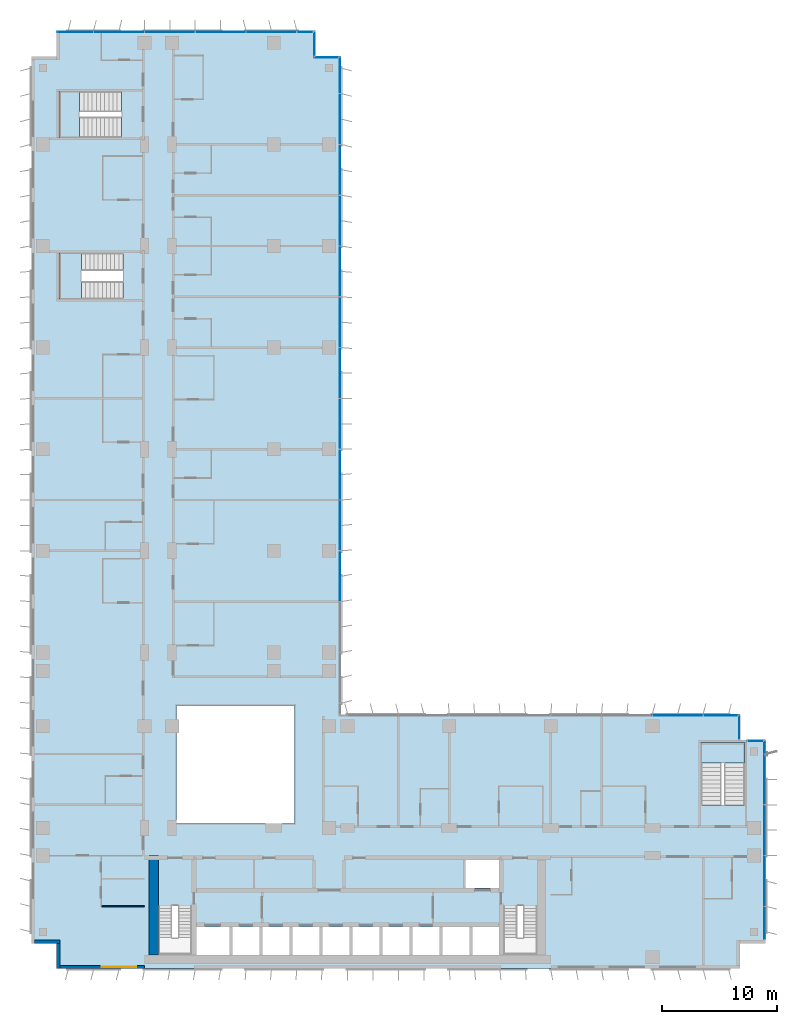
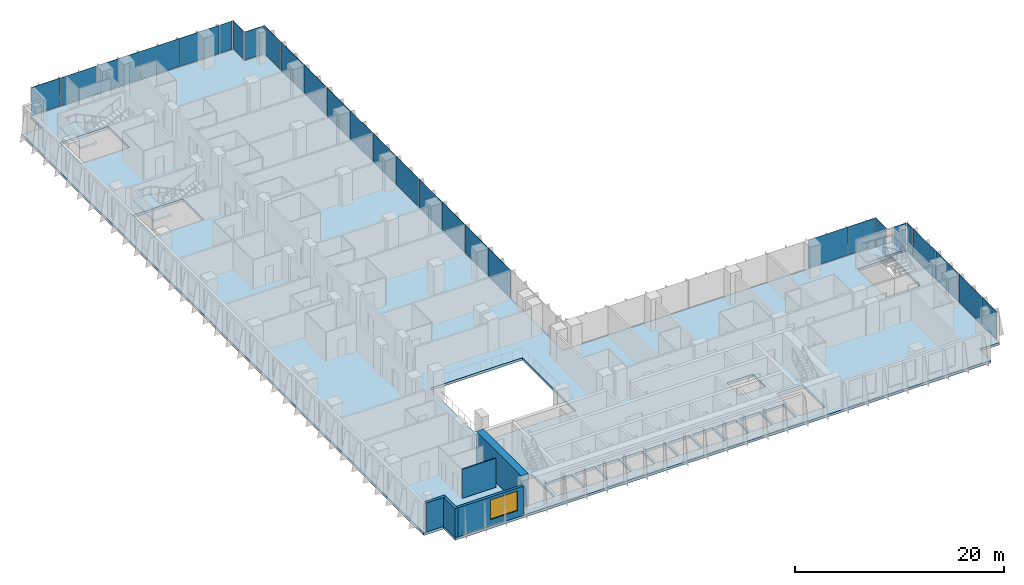
# One storey, part 11 of 22: 28 plates, 5 walls, 4 slabs, 1 window, 1 opening, 11 elements without a shape of their own.
"""IFC4 building model written with IfcOpenShell, lengths in metres."""

import ifcopenshell
import ifcopenshell.guid

model = None  # the IFC model being written
_history = None  # IfcOwnerHistory: only IFC2X3 demands one
_inside = {}  # id of a spatial element -> (the spatial element, [elements in it])
_under = {}  # id of a project, library or spatial element -> (it, [spatial elements below it])
_declared = {}  # id of a project -> (the project, [libraries it declares])
_typed = {}  # id of a type object -> (the type object, [elements of that type])
_made_of = {}  # id of a material, layer set ... -> (it, [elements and type objects made of it])


def new_model(schema):
    """Start an empty IFC model of exactly this schema.

    Asked for "IFC4X3", IfcOpenShell would pick the latest addendum, in which some entities
    have other attributes; the version numbers below select the first issue.
    IFC2X3 requires an IfcOwnerHistory on every rooted entity: one is made here for all.
    """
    global model, _history
    if schema == "IFC4X3":
        model = ifcopenshell.file(schema_version=(4, 3, 0, 0))
    else:
        model = ifcopenshell.file(schema=schema)
    _inside.clear()
    _under.clear()
    _declared.clear()
    _typed.clear()
    _made_of.clear()
    _history = None
    if model.schema == "IFC2X3":
        org = make("IfcOrganization", Name="unknown")
        user = make(
            "IfcPersonAndOrganization",
            ThePerson=make("IfcPerson", FamilyName="unknown"),
            TheOrganization=org,
        )
        app = make(
            "IfcApplication",
            ApplicationDeveloper=org,
            Version="unknown",
            ApplicationFullName="unknown",
            ApplicationIdentifier="unknown",
        )
        _history = make(
            "IfcOwnerHistory",
            OwningUser=user,
            OwningApplication=app,
            ChangeAction="ADDED",
            CreationDate=0,
        )
    return model


def make(cls, **values):
    """One entity of the class cls with the attributes given. An attribute that is None is left unset."""
    return model.create_entity(
        cls, **{name: value for name, value in values.items() if value is not None}
    )


def rooted(cls, **values):
    """An entity with a GlobalId (a new one), such as an element, a storey or a relation."""
    return make(cls, GlobalId=ifcopenshell.guid.new(), OwnerHistory=_history, **values)


def si_unit(unit_type, name, prefix=None):
    """IfcSIUnit, for example si_unit("LENGTHUNIT", "METRE", prefix="MILLI")."""
    return make("IfcSIUnit", UnitType=unit_type, Prefix=prefix, Name=name)


def assignment(units):
    """IfcUnitAssignment: the units of a project."""
    return None if units is None else make("IfcUnitAssignment", Units=units)


def point(xyz):
    """IfcCartesianPoint."""
    return None if xyz is None else make("IfcCartesianPoint", Coordinates=xyz)


def direction(xyz):
    """IfcDirection."""
    return None if xyz is None else make("IfcDirection", DirectionRatios=xyz)


def frame(location, z_axis=None, x_axis=None):
    """IfcAxis2Placement3D, a coordinate frame: its origin and axes. An axis left out is left unset."""
    return make(
        "IfcAxis2Placement3D",
        Location=point(location),
        Axis=direction(z_axis),
        RefDirection=direction(x_axis),
    )


def frame_2d(location, x_axis=None):
    """IfcAxis2Placement2D, a coordinate frame in the plane: its origin and x axis."""
    return make(
        "IfcAxis2Placement2D", Location=point(location), RefDirection=direction(x_axis)
    )


def origin():
    """The frame at (0, 0, 0) with its axes left unset."""
    return frame((0.0, 0.0, 0.0))


def origin_2d():
    """The frame at (0, 0) in the plane with its x axis left unset."""
    return frame_2d((0.0, 0.0))


def place(relative_to, where):
    """IfcLocalPlacement: puts the frame where relative to a parent placement (None: the world)."""
    return make(
        "IfcLocalPlacement", PlacementRelTo=relative_to, RelativePlacement=where
    )


def context(
    kind, dimensions, precision=None, world=None, true_north=None, identifier=None
):
    """IfcGeometricRepresentationContext, for example the 3D "Model" context."""
    return make(
        "IfcGeometricRepresentationContext",
        ContextIdentifier=identifier,
        ContextType=kind,
        CoordinateSpaceDimension=dimensions,
        Precision=precision,
        WorldCoordinateSystem=world,
        TrueNorth=true_north,
    )


def subcontext(parent, identifier, kind, view, scale=None):
    """IfcGeometricRepresentationSubContext, for example "Body" below "Model"."""
    return make(
        "IfcGeometricRepresentationSubContext",
        ContextIdentifier=identifier,
        ContextType=kind,
        ParentContext=parent,
        TargetScale=scale,
        TargetView=view,
    )


def project(units=None, contexts=None):
    """IfcProject with its units and contexts."""
    return rooted(
        "IfcProject",
        Name="project",
        RepresentationContexts=contexts,
        UnitsInContext=assignment(units),
    )


def spatial(cls, under=None, at=None, **own):
    """A site, building, storey or space (cls), placed at a placement, below another one or the project."""
    s = rooted(cls, ObjectPlacement=at, **own)
    if under is not None:
        _under.setdefault(under.id(), (under, []))[1].append(s)
    return s


def polyline(points):
    """IfcPolyline through the points."""
    return make("IfcPolyline", Points=[point(p) for p in points])


def profile(cls, at=None, kind="AREA", **sizes):
    """A parametric profile (cls). Its sizes go by their IFC names, for example OverallWidth=200.0."""
    return make(cls, ProfileType=kind, Position=at, **sizes)


def rectangle(**sizes):
    """IfcRectangleProfileDef."""
    return profile("IfcRectangleProfileDef", **sizes)


def outline(outer, holes=None, kind="AREA"):
    """IfcArbitraryClosedProfileDef: a profile drawn as a closed curve; with holes, ...WithVoids."""
    if holes is None:
        return make("IfcArbitraryClosedProfileDef", ProfileType=kind, OuterCurve=outer)
    return make(
        "IfcArbitraryProfileDefWithVoids",
        ProfileType=kind,
        OuterCurve=outer,
        InnerCurves=holes,
    )


def extrude(swept, where, along, depth):
    """IfcExtrudedAreaSolid: the profile swept, set in the frame where, extruded along a direction by depth."""
    return make(
        "IfcExtrudedAreaSolid",
        SweptArea=swept,
        Position=where,
        ExtrudedDirection=direction(along),
        Depth=depth,
    )


def shape(context_of_items, identifier, shape_type, items):
    """IfcShapeRepresentation: the items that make up one representation, for example the "Body"."""
    return make(
        "IfcShapeRepresentation",
        ContextOfItems=context_of_items,
        RepresentationIdentifier=identifier,
        RepresentationType=shape_type,
        Items=items,
    )


def source(mapping_origin, context_of_items, identifier, shape_type, items):
    """IfcRepresentationMap: a shape defined once, which mapped items show again and again."""
    return make(
        "IfcRepresentationMap",
        MappingOrigin=mapping_origin,
        MappedRepresentation=shape(context_of_items, identifier, shape_type, items),
    )


def transform(
    local_origin,
    x_axis=None,
    y_axis=None,
    z_axis=None,
    scale=None,
    scale2=None,
    scale3=None,
    uniform=True,
):
    """IfcCartesianTransformationOperator3D, or its non-uniform kind. x_axis, y_axis, z_axis: its Axis1, 2, 3."""
    if uniform:
        return make(
            "IfcCartesianTransformationOperator3D",
            Axis1=direction(x_axis),
            Axis2=direction(y_axis),
            LocalOrigin=point(local_origin),
            Scale=scale,
            Axis3=direction(z_axis),
        )
    return make(
        "IfcCartesianTransformationOperator3DnonUniform",
        Axis1=direction(x_axis),
        Axis2=direction(y_axis),
        LocalOrigin=point(local_origin),
        Scale=scale,
        Axis3=direction(z_axis),
        Scale2=scale2,
        Scale3=scale3,
    )


def mapped(mapping_source, mapping_target):
    """IfcMappedItem: shows the shape of a source again, moved by a transform."""
    return make(
        "IfcMappedItem", MappingSource=mapping_source, MappingTarget=mapping_target
    )


def material(Name=None, Category=None):
    """IfcMaterial."""
    return make("IfcMaterial", Name=Name, Category=Category)


def layer(
    of_material, thickness, ventilated=None, Name=None, Category=None, Priority=None
):
    """IfcMaterialLayer: one layer of a wall or slab, of a material (None: an air gap)."""
    return make(
        "IfcMaterialLayer",
        Material=of_material,
        LayerThickness=thickness,
        IsVentilated=ventilated,
        Name=Name,
        Category=Category,
        Priority=Priority,
    )


def layer_set(layers, Name=None):
    """IfcMaterialLayerSet."""
    return make("IfcMaterialLayerSet", MaterialLayers=layers, LayerSetName=Name)


def made_of(thing, what):
    """Note that an element or type object is made of a material, layer set ...; save() writes the relation."""
    if what is not None:
        _made_of.setdefault(what.id(), (what, []))[1].append(thing)
    return thing


def type_object(cls, material=None, **own):
    """A type object (cls), such as IfcWallType, which elements share."""
    return made_of(rooted(cls, **own), material)


def element(
    cls,
    number,
    at=None,
    inside=None,
    cuts=None,
    type_object=None,
    material=None,
    context=None,
    identifier="Body",
    shape_type=None,
    held_by="IfcProductDefinitionShape",
    body=None,
    shapes=None,
    **own,
):
    """One element of the class cls, such as IfcWall. Its Tag is "e" and its number.

    at: its placement. inside: the storey or other place that contains it. cuts: it is an
    opening in that element (IfcRelVoidsElement). A single representation is given by context,
    identifier, shape_type and body (its items); several are given by shapes. held_by: the class
    of the entity that holds the representations. save() writes the other relations.
    """
    e = rooted(cls, Tag="e%d" % number, ObjectPlacement=at, **own)
    if body is not None:
        shapes = [shape(context, identifier, shape_type, body)]
    if shapes is not None:
        e.Representation = make(held_by, Representations=shapes)
    if inside is not None:
        _inside.setdefault(inside.id(), (inside, []))[1].append(e)
    if cuts is not None:
        rooted(
            "IfcRelVoidsElement", RelatingBuildingElement=cuts, RelatedOpeningElement=e
        )
    if type_object is not None:
        _typed.setdefault(type_object.id(), (type_object, []))[1].append(e)
    return made_of(e, material)


def fill(opening, filler):
    """IfcRelFillsElement: the door or window that sits in an opening."""
    return rooted(
        "IfcRelFillsElement",
        RelatingOpeningElement=opening,
        RelatedBuildingElement=filler,
    )


def aggregate(whole, parts):
    """IfcRelAggregates: a whole, such as a stair, and the parts it consists of."""
    return rooted("IfcRelAggregates", RelatingObject=whole, RelatedObjects=parts)


def save(model, path):
    """Write the relations noted so far, then the file.

    IfcRelAggregates (storeys below a building ...), IfcRelContainedInSpatialStructure (elements
    in a storey), IfcRelDefinesByType, IfcRelAssociatesMaterial and IfcRelDeclares: one each for
    every whole, place, type object, material and project.
    """
    for whole, parts in _under.values():
        aggregate(whole, parts)
    for where, things in _inside.values():
        rooted(
            "IfcRelContainedInSpatialStructure",
            RelatedElements=things,
            RelatingStructure=where,
        )
    for kind, things in _typed.values():
        rooted("IfcRelDefinesByType", RelatedObjects=things, RelatingType=kind)
    for what, things in _made_of.values():
        rooted("IfcRelAssociatesMaterial", RelatedObjects=things, RelatingMaterial=what)
    for by, libraries in _declared.values():
        rooted("IfcRelDeclares", RelatingContext=by, RelatedDefinitions=libraries)
    model.write(path)


model = new_model("IFC4")

# Units and contexts
model_context = context("Model", 3, precision=1e-05, world=origin(), true_north=direction((0.0, 1.0)))
body_context = subcontext(model_context, "Body", "Model", "MODEL_VIEW")
ifc_project = project(units=[si_unit("LENGTHUNIT", "METRE"), si_unit("AREAUNIT", "SQUARE_METRE"), si_unit("VOLUMEUNIT", "CUBIC_METRE"), si_unit("PLANEANGLEUNIT", "RADIAN"), si_unit("MASSUNIT", "GRAM", prefix="KILO")], contexts=[model_context])

# Site, building, storey
site_placement = place(None, origin())
site = spatial("IfcSite", under=ifc_project, at=site_placement, CompositionType="ELEMENT")
building_placement = place(site_placement, origin())
building = spatial("IfcBuilding", under=site, at=building_placement, Name="Kemantara Hotel Tower", CompositionType="ELEMENT")
storey_placement = place(building_placement, frame((0.0, 0.0, 90.800048828125)))
storey = spatial("IfcBuildingStorey", under=building, at=storey_placement, Name="L21", CompositionType="ELEMENT", Elevation=90.800048828125)

# Slab
ifc_material_1 = material(Name="Concrete fc 40 MPa", Category="concrete")
ifc_layer_1 = layer(ifc_material_1, 0.300048828125)
ifc_layer_set_1 = layer_set([ifc_layer_1], Name="Concrete fc 40 MPa")
slab_type_1 = type_object("IfcSlabType", Name="POST-TENSIONED FLAT PLATE 300", PredefinedType="FLOOR", material=ifc_layer_set_1)
slab_1_placement = place(storey_placement, frame((0.0, 0.0, -0.300048828125)))
element("IfcSlab", 1, at=slab_1_placement, inside=storey, type_object=slab_type_1, Name="FLOOR SLAB L21", PredefinedType="FLOOR", context=body_context, shape_type="SweptSolid", body=[
    extrude(outline(polyline([(26.800048828125, 79.0), (24.60009765625, 79.0), (24.60009765625, 81.199951171875), (2.199951171875, 81.199951171875), (2.199951171875, 79.0), (0.0, 79.0), (0.0, 2.199951171875), (2.199951171875, 2.199951171875), (2.199951171875, 0.0), (61.39990234375, 0.0), (61.39990234375, 2.199951171875), (63.60009765625, 2.199951171875), (63.60009765625, 19.800048828125), (61.39990234375, 19.800048828125), (61.39990234375, 22.0), (26.800048828125, 22.0), (26.800048828125, 79.0)]), holes=[polyline([(17.175048828125, 1.199951171875), (14.22509765625, 1.199951171875), (14.22509765625, 3.60009765625), (17.175048828125, 3.60009765625), (17.175048828125, 1.199951171875)]), polyline([(19.77490234375, 1.199951171875), (17.425048828125, 1.199951171875), (17.425048828125, 3.60009765625), (19.77490234375, 3.60009765625), (19.77490234375, 1.199951171875)]), polyline([(22.375, 1.199951171875), (20.02490234375, 1.199951171875), (20.02490234375, 3.60009765625), (22.375, 3.60009765625), (22.375, 1.199951171875)]), polyline([(24.97509765625, 1.199951171875), (22.625, 1.199951171875), (22.625, 3.60009765625), (24.97509765625, 3.60009765625), (24.97509765625, 1.199951171875)]), polyline([(27.574951171875, 1.199951171875), (25.22509765625, 1.199951171875), (25.22509765625, 3.60009765625), (27.574951171875, 3.60009765625), (27.574951171875, 1.199951171875)]), polyline([(11.0, 1.199951171875), (11.0, 5.49951171875), (13.89990234375, 5.49951171875), (13.89990234375, 1.199951171875), (11.0, 1.199951171875)]), polyline([(22.800048828125, 12.60009765625), (12.60009765625, 12.60009765625), (12.60009765625, 22.800048828125), (22.800048828125, 22.800048828125), (22.800048828125, 12.60009765625)]), polyline([(2.39990234375, 62.0), (7.949462890625, 62.0), (7.949462890625, 58.0), (2.39990234375, 58.0), (2.39990234375, 62.0)]), polyline([(2.39990234375, 76.0), (7.79931640625, 76.0), (7.79931640625, 72.0), (2.39990234375, 72.0), (2.39990234375, 76.0)]), polyline([(30.175048828125, 1.199951171875), (27.824951171875, 1.199951171875), (27.824951171875, 3.60009765625), (30.175048828125, 3.60009765625), (30.175048828125, 1.199951171875)]), polyline([(32.77490234375, 1.199951171875), (30.425048828125, 1.199951171875), (30.425048828125, 3.60009765625), (32.77490234375, 3.60009765625), (32.77490234375, 1.199951171875)]), polyline([(35.375, 1.199951171875), (33.02490234375, 1.199951171875), (33.02490234375, 3.60009765625), (35.375, 3.60009765625), (35.375, 1.199951171875)]), polyline([(37.97509765625, 1.199951171875), (35.625, 1.199951171875), (35.625, 3.60009765625), (37.97509765625, 3.60009765625), (37.97509765625, 1.199951171875)]), polyline([(40.574951171875, 1.199951171875), (38.22509765625, 1.199951171875), (38.22509765625, 3.60009765625), (40.574951171875, 3.60009765625), (40.574951171875, 1.199951171875)]), polyline([(40.89990234375, 1.199951171875), (40.89990234375, 5.49951171875), (43.800048828125, 5.49951171875), (43.800048828125, 1.199951171875), (40.89990234375, 1.199951171875)]), polyline([(37.625, 7.0), (37.625, 9.39990234375), (40.574951171875, 9.39990234375), (40.574951171875, 7.0), (37.625, 7.0)]), polyline([(61.800048828125, 14.20068359375), (58.0, 14.20068359375), (58.0, 19.60009765625), (61.800048828125, 19.60009765625), (61.800048828125, 14.20068359375)])]), origin(), (0.0, 0.0, 1.0), 0.300048828125),
])

# Stair, slab
stair_type_1 = type_object("IfcStairType", Name="Stair 1800 wide 22 risers of 168 x 360 mm", PredefinedType="HALF_TURN_STAIR", material=ifc_material_1)
stair_1_placement = place(storey_placement, origin())
stair_1 = element("IfcStair", 2, at=stair_1_placement, inside=storey, type_object=stair_type_1, Name="L21 Exit stair ST3", PredefinedType="HALF_TURN_STAIR")
ifc_layer_2 = layer(ifc_material_1, 0.199951171875)
ifc_layer_set_2 = layer_set([ifc_layer_2], Name="Concrete fc 40 MPa")
slab_type_2 = type_object("IfcSlabType", Name="Stair landing 200 mm", PredefinedType="LANDING", material=ifc_layer_set_2)
slab_2_placement = place(storey_placement, frame((0.0, 0.0, 1.64990234375)))
slab_2 = element("IfcSlab", 3, at=slab_2_placement, type_object=slab_type_2, Name="ST3 landing 1", PredefinedType="LANDING", context=body_context, shape_type="SweptSolid", body=[
    extrude(outline(polyline([(61.800048828125, 17.800048828125), (61.800048828125, 19.60009765625), (58.0, 19.60009765625), (58.0, 17.800048828125), (61.800048828125, 17.800048828125)])), origin(), (0.0, 0.0, 1.0), 0.199951171875),
])
aggregate(stair_1, [slab_2])

stair_type_2 = type_object("IfcStairType", Name="Stair 1550 wide 22 risers of 168 x 360 mm", PredefinedType="HALF_TURN_STAIR", material=ifc_material_1)
stair_2_placement = place(storey_placement, origin())
stair_2 = element("IfcStair", 4, at=stair_2_placement, inside=storey, type_object=stair_type_2, Name="L21 Exit stair ST4", PredefinedType="HALF_TURN_STAIR")
slab_3_placement = place(storey_placement, frame((0.0, 0.0, 1.64990234375)))
slab_3 = element("IfcSlab", 5, at=slab_3_placement, type_object=slab_type_2, Name="ST4 landing 1", PredefinedType="LANDING", context=body_context, shape_type="SweptSolid", body=[
    extrude(outline(polyline([(4.35009765625, 62.0), (2.39990234375, 62.0), (2.39990234375, 58.0), (4.35009765625, 58.0), (4.35009765625, 62.0)])), origin(), (0.0, 0.0, 1.0), 0.199951171875),
])
aggregate(stair_2, [slab_3])

stair_3_placement = place(storey_placement, origin())
stair_3 = element("IfcStair", 6, at=stair_3_placement, inside=storey, type_object=stair_type_1, Name="L21 Exit stair ST6", PredefinedType="HALF_TURN_STAIR")
slab_4_placement = place(storey_placement, frame((0.0, 0.0, 1.64990234375)))
slab_4 = element("IfcSlab", 7, at=slab_4_placement, type_object=slab_type_2, Name="ST6 landing 1", PredefinedType="LANDING", context=body_context, shape_type="SweptSolid", body=[
    extrude(outline(polyline([(4.199951171875, 76.0), (2.39990234375, 76.0), (2.39990234375, 72.0), (4.199951171875, 72.0), (4.199951171875, 76.0)])), origin(), (0.0, 0.0, 1.0), 0.199951171875),
])
aggregate(stair_3, [slab_4])

# Curtain wall, plate
ifc_material_2 = material(Name="Low-E tinted double insulated glass 36 mm", Category="glass")
curtain_wall_type = type_object("IfcCurtainWallType", Name="TOWER CURTAIN WALL, FRONT FACES", PredefinedType="USERDEFINED", material=ifc_material_2)
curtain_wall_1_placement = place(storey_placement, origin())
curtain_wall_1 = element("IfcCurtainWall", 8, at=curtain_wall_1_placement, inside=storey, type_object=curtain_wall_type, Name="CW4 L21 T2-R10-1", ObjectType="TOWER CURTAIN WALL, FRONT FACES", PredefinedType="USERDEFINED")
ifc_layer_3 = layer(ifc_material_2, 0.035888671875)
ifc_layer_set_3 = layer_set([ifc_layer_3], Name="Low-E tinted double insulated glass 36 mm")
plate_type = type_object("IfcPlateType", Name="TOWER CURTAIN WALL, FRONT FACES PANEL", PredefinedType="CURTAIN_PANEL", material=ifc_layer_set_3)
shared_shape_1 = source(origin(), body_context, "Body", "SweptSolid", [
    extrude(rectangle(XDim=2.81005859375, YDim=0.035888671875, at=origin_2d()), origin(), (0.0, 0.0, 1.0), 3.280029296875),
])
plate_1_placement = place(storey_placement, frame((63.52490234375, 3.965087890625, 0.1201171875), z_axis=(0.0, 0.0, 1.0), x_axis=(0.0, 1.0, 0.0)))
plate_1 = element("IfcPlate", 9, at=plate_1_placement, type_object=plate_type, Name="CW4 glass panel T2-R10-1.1", PredefinedType="CURTAIN_PANEL", context=body_context, shape_type="MappedRepresentation", body=[
    mapped(shared_shape_1, transform((0.0, 0.0, 0.0))),
])

# Curtain wall, plates
curtain_wall_2_placement = place(storey_placement, origin())
curtain_wall_2 = element("IfcCurtainWall", 10, at=curtain_wall_2_placement, inside=storey, type_object=curtain_wall_type, Name="CW4 L21 T2-R01-1", ObjectType="TOWER CURTAIN WALL, FRONT FACES", PredefinedType="USERDEFINED")
shared_shape_2 = source(origin(), body_context, "Body", "SweptSolid", [
    extrude(rectangle(XDim=4.340087890625, YDim=0.035888671875, at=origin_2d()), origin(), (0.0, 0.0, 1.0), 3.280029296875),
])
plate_2_placement = place(storey_placement, frame((20.800048828125, 81.125, 0.1201171875), z_axis=(0.0, 0.0, 1.0), x_axis=(-1.0, 0.0, 0.0)))
plate_2 = element("IfcPlate", 11, at=plate_2_placement, type_object=plate_type, Name="CW4 glass panel T2-R01-1.2", PredefinedType="CURTAIN_PANEL", context=body_context, shape_type="MappedRepresentation", body=[
    mapped(shared_shape_2, transform((0.0, 0.0, 0.0))),
])
plate_3_placement = place(storey_placement, frame((16.39990234375, 81.125, 0.1201171875), z_axis=(0.0, 0.0, 1.0), x_axis=(-1.0, 0.0, 0.0)))
plate_3 = element("IfcPlate", 12, at=plate_3_placement, type_object=plate_type, Name="CW4 glass panel T2-R01-1.3", PredefinedType="CURTAIN_PANEL", context=body_context, shape_type="MappedRepresentation", body=[
    mapped(shared_shape_2, transform((0.0, 0.0, 0.0))),
])
plate_4_placement = place(storey_placement, frame((12.0, 81.125, 0.1201171875), z_axis=(0.0, 0.0, 1.0), x_axis=(-1.0, 0.0, 0.0)))
plate_4 = element("IfcPlate", 13, at=plate_4_placement, type_object=plate_type, Name="CW4 glass panel T2-R01-1.4", PredefinedType="CURTAIN_PANEL", context=body_context, shape_type="MappedRepresentation", body=[
    mapped(shared_shape_2, transform((0.0, 0.0, 0.0))),
])
plate_5_placement = place(storey_placement, frame((7.60009765625, 81.125, 0.1201171875), z_axis=(0.0, 0.0, 1.0), x_axis=(-1.0, 0.0, 0.0)))
plate_5 = element("IfcPlate", 14, at=plate_5_placement, type_object=plate_type, Name="CW4 glass panel T2-R01-1.5", PredefinedType="CURTAIN_PANEL", context=body_context, shape_type="MappedRepresentation", body=[
    mapped(shared_shape_2, transform((0.0, 0.0, 0.0))),
])

# Plate
plate_6_placement = place(storey_placement, frame((63.52490234375, 7.60009765625, 0.1201171875), z_axis=(0.0, 0.0, 1.0), x_axis=(0.0, 1.0, 0.0)))
plate_6 = element("IfcPlate", 15, at=plate_6_placement, type_object=plate_type, Name="CW4 glass panel T2-R10-1.2", PredefinedType="CURTAIN_PANEL", context=body_context, shape_type="MappedRepresentation", body=[
    mapped(shared_shape_2, transform((0.0, 0.0, 0.0))),
])

plate_7_placement = place(storey_placement, frame((63.52490234375, 12.0, 0.1201171875), z_axis=(0.0, 0.0, 1.0), x_axis=(0.0, 1.0, 0.0)))
plate_7 = element("IfcPlate", 16, at=plate_7_placement, type_object=plate_type, Name="CW4 glass panel T2-R10-1.3", PredefinedType="CURTAIN_PANEL", context=body_context, shape_type="MappedRepresentation", body=[
    mapped(shared_shape_2, transform((0.0, 0.0, 0.0))),
])

plate_8_placement = place(storey_placement, frame((63.52490234375, 16.39990234375, 0.1201171875), z_axis=(0.0, 0.0, 1.0), x_axis=(0.0, 1.0, 0.0)))
plate_8 = element("IfcPlate", 17, at=plate_8_placement, type_object=plate_type, Name="CW4 glass panel T2-R10-1.4", PredefinedType="CURTAIN_PANEL", context=body_context, shape_type="MappedRepresentation", body=[
    mapped(shared_shape_2, transform((0.0, 0.0, 0.0))),
])

# Curtain wall, plate
curtain_wall_3_placement = place(storey_placement, origin())
curtain_wall_3 = element("IfcCurtainWall", 18, at=curtain_wall_3_placement, inside=storey, type_object=curtain_wall_type, Name="CW4 L21 T2-R13-1", ObjectType="TOWER CURTAIN WALL, FRONT FACES", PredefinedType="USERDEFINED")
plate_9_placement = place(storey_placement, frame((56.0, 21.925048828125, 0.1201171875), z_axis=(0.0, 0.0, 1.0), x_axis=(-1.0, 0.0, 0.0)))
plate_9 = element("IfcPlate", 19, at=plate_9_placement, type_object=plate_type, Name="CW4 glass panel T2-R13-1.2", PredefinedType="CURTAIN_PANEL", context=body_context, shape_type="MappedRepresentation", body=[
    mapped(shared_shape_2, transform((0.0, 0.0, 0.0))),
])

# Curtain wall, plates
curtain_wall_4_placement = place(storey_placement, origin())
curtain_wall_4 = element("IfcCurtainWall", 20, at=curtain_wall_4_placement, inside=storey, type_object=curtain_wall_type, Name="CW4 L21 T2-R14-1", ObjectType="TOWER CURTAIN WALL, FRONT FACES", PredefinedType="USERDEFINED")
plate_10_placement = place(storey_placement, frame((26.72509765625, 34.0, 0.1201171875), z_axis=(0.0, 0.0, 1.0), x_axis=(0.0, 1.0, 0.0)))
plate_10 = element("IfcPlate", 21, at=plate_10_placement, type_object=plate_type, Name="CW4 glass panel T2-R14-1.4", PredefinedType="CURTAIN_PANEL", context=body_context, shape_type="MappedRepresentation", body=[
    mapped(shared_shape_2, transform((0.0, 0.0, 0.0))),
])
plate_11_placement = place(storey_placement, frame((26.72509765625, 38.39990234375, 0.1201171875), z_axis=(0.0, 0.0, 1.0), x_axis=(0.0, 1.0, 0.0)))
plate_11 = element("IfcPlate", 22, at=plate_11_placement, type_object=plate_type, Name="CW4 glass panel T2-R14-1.5", PredefinedType="CURTAIN_PANEL", context=body_context, shape_type="MappedRepresentation", body=[
    mapped(shared_shape_2, transform((0.0, 0.0, 0.0))),
])
plate_12_placement = place(storey_placement, frame((26.72509765625, 42.800048828125, 0.1201171875), z_axis=(0.0, 0.0, 1.0), x_axis=(0.0, 1.0, 0.0)))
plate_12 = element("IfcPlate", 23, at=plate_12_placement, type_object=plate_type, Name="CW4 glass panel T2-R14-1.6", PredefinedType="CURTAIN_PANEL", context=body_context, shape_type="MappedRepresentation", body=[
    mapped(shared_shape_2, transform((0.0, 0.0, 0.0))),
])
plate_13_placement = place(storey_placement, frame((26.72509765625, 47.199951171875, 0.1201171875), z_axis=(0.0, 0.0, 1.0), x_axis=(0.0, 1.0, 0.0)))
plate_13 = element("IfcPlate", 24, at=plate_13_placement, type_object=plate_type, Name="CW4 glass panel T2-R14-1.7", PredefinedType="CURTAIN_PANEL", context=body_context, shape_type="MappedRepresentation", body=[
    mapped(shared_shape_2, transform((0.0, 0.0, 0.0))),
])
plate_14_placement = place(storey_placement, frame((26.72509765625, 51.60009765625, 0.1201171875), z_axis=(0.0, 0.0, 1.0), x_axis=(0.0, 1.0, 0.0)))
plate_14 = element("IfcPlate", 25, at=plate_14_placement, type_object=plate_type, Name="CW4 glass panel T2-R14-1.8", PredefinedType="CURTAIN_PANEL", context=body_context, shape_type="MappedRepresentation", body=[
    mapped(shared_shape_2, transform((0.0, 0.0, 0.0))),
])
plate_15_placement = place(storey_placement, frame((26.72509765625, 56.0, 0.1201171875), z_axis=(0.0, 0.0, 1.0), x_axis=(0.0, 1.0, 0.0)))
plate_15 = element("IfcPlate", 26, at=plate_15_placement, type_object=plate_type, Name="CW4 glass panel T2-R14-1.9", PredefinedType="CURTAIN_PANEL", context=body_context, shape_type="MappedRepresentation", body=[
    mapped(shared_shape_2, transform((0.0, 0.0, 0.0))),
])
plate_16_placement = place(storey_placement, frame((26.72509765625, 60.39990234375, 0.1201171875), z_axis=(0.0, 0.0, 1.0), x_axis=(0.0, 1.0, 0.0)))
plate_16 = element("IfcPlate", 27, at=plate_16_placement, type_object=plate_type, Name="CW4 glass panel T2-R14-1.10", PredefinedType="CURTAIN_PANEL", context=body_context, shape_type="MappedRepresentation", body=[
    mapped(shared_shape_2, transform((0.0, 0.0, 0.0))),
])
plate_17_placement = place(storey_placement, frame((26.72509765625, 64.800048828125, 0.1201171875), z_axis=(0.0, 0.0, 1.0), x_axis=(0.0, 1.0, 0.0)))
plate_17 = element("IfcPlate", 28, at=plate_17_placement, type_object=plate_type, Name="CW4 glass panel T2-R14-1.11", PredefinedType="CURTAIN_PANEL", context=body_context, shape_type="MappedRepresentation", body=[
    mapped(shared_shape_2, transform((0.0, 0.0, 0.0))),
])
plate_18_placement = place(storey_placement, frame((26.72509765625, 69.199951171875, 0.1201171875), z_axis=(0.0, 0.0, 1.0), x_axis=(0.0, 1.0, 0.0)))
plate_18 = element("IfcPlate", 29, at=plate_18_placement, type_object=plate_type, Name="CW4 glass panel T2-R14-1.12", PredefinedType="CURTAIN_PANEL", context=body_context, shape_type="MappedRepresentation", body=[
    mapped(shared_shape_2, transform((0.0, 0.0, 0.0))),
])
plate_19_placement = place(storey_placement, frame((26.72509765625, 73.60009765625, 0.1201171875), z_axis=(0.0, 0.0, 1.0), x_axis=(0.0, 1.0, 0.0)))
plate_19 = element("IfcPlate", 30, at=plate_19_placement, type_object=plate_type, Name="CW4 glass panel T2-R14-1.13", PredefinedType="CURTAIN_PANEL", context=body_context, shape_type="MappedRepresentation", body=[
    mapped(shared_shape_2, transform((0.0, 0.0, 0.0))),
])

# Plate
shared_shape_3 = source(origin(), body_context, "Body", "SweptSolid", [
    extrude(rectangle(XDim=1.360107421875, YDim=0.035888671875, at=origin_2d()), origin(), (0.0, 0.0, 1.0), 3.280029296875),
])
plate_20_placement = place(storey_placement, frame((23.7099609375, 81.125, 0.1201171875), z_axis=(0.0, 0.0, 1.0), x_axis=(-1.0, 0.0, 0.0)))
plate_20 = element("IfcPlate", 31, at=plate_20_placement, type_object=plate_type, Name="CW4 glass panel T2-R01-1.1", PredefinedType="CURTAIN_PANEL", context=body_context, shape_type="MappedRepresentation", body=[
    mapped(shared_shape_3, transform((0.0, 0.0, 0.0))),
])

shared_shape_4 = source(origin(), body_context, "Body", "SweptSolid", [
    extrude(rectangle(XDim=3.110107421875, YDim=0.035888671875, at=origin_2d()), origin(), (0.0, 0.0, 1.0), 3.280029296875),
])
plate_21_placement = place(storey_placement, frame((3.81494140625, 81.125, 0.1201171875), z_axis=(0.0, 0.0, 1.0), x_axis=(-1.0, 0.0, 0.0)))
plate_21 = element("IfcPlate", 32, at=plate_21_placement, type_object=plate_type, Name="CW4 glass panel T2-R01-1.6", PredefinedType="CURTAIN_PANEL", context=body_context, shape_type="MappedRepresentation", body=[
    mapped(shared_shape_4, transform((0.0, 0.0, 0.0))),
])

aggregate(curtain_wall_2, [plate_20, plate_2, plate_3, plate_4, plate_5, plate_21])

plate_22_placement = place(storey_placement, frame((26.72509765625, 77.385009765625, 0.1201171875), z_axis=(0.0, 0.0, 1.0), x_axis=(0.0, 1.0, 0.0)))
plate_22 = element("IfcPlate", 33, at=plate_22_placement, type_object=plate_type, Name="CW4 glass panel T2-R14-1.14", PredefinedType="CURTAIN_PANEL", context=body_context, shape_type="MappedRepresentation", body=[
    mapped(shared_shape_4, transform((0.0, 0.0, 0.0))),
])

aggregate(curtain_wall_4, [plate_10, plate_11, plate_12, plate_13, plate_14, plate_15, plate_16, plate_17, plate_18, plate_19, plate_22])

# Curtain wall, plate
curtain_wall_5_placement = place(storey_placement, origin())
curtain_wall_5 = element("IfcCurtainWall", 34, at=curtain_wall_5_placement, inside=storey, type_object=curtain_wall_type, Name="CW4 L21 T2-R00-1", ObjectType="TOWER CURTAIN WALL, FRONT FACES", PredefinedType="USERDEFINED")
shared_shape_5 = source(origin(), body_context, "Body", "SweptSolid", [
    extrude(rectangle(XDim=2.080078125, YDim=0.035888671875, at=origin_2d()), origin(), (0.0, 0.0, 1.0), 3.280029296875),
])
plate_23_placement = place(storey_placement, frame((24.52490234375, 80.10009765625, 0.1201171875), z_axis=(0.0, 0.0, 1.0), x_axis=(0.0, 1.0, 0.0)))
plate_23 = element("IfcPlate", 35, at=plate_23_placement, type_object=plate_type, Name="CW4 glass panel T2-R00-1.1", PredefinedType="CURTAIN_PANEL", context=body_context, shape_type="MappedRepresentation", body=[
    mapped(shared_shape_5, transform((0.0, 0.0, 0.0))),
])
aggregate(curtain_wall_5, [plate_23])

curtain_wall_6_placement = place(storey_placement, origin())
curtain_wall_6 = element("IfcCurtainWall", 36, at=curtain_wall_6_placement, inside=storey, type_object=curtain_wall_type, Name="CW4 L21 T2-R12-1", ObjectType="TOWER CURTAIN WALL, FRONT FACES", PredefinedType="USERDEFINED")
plate_24_placement = place(storey_placement, frame((61.324951171875, 20.89990234375, 0.1201171875), z_axis=(0.0, 0.0, 1.0), x_axis=(0.0, 1.0, 0.0)))
plate_24 = element("IfcPlate", 37, at=plate_24_placement, type_object=plate_type, Name="CW4 glass panel T2-R12-1.1", PredefinedType="CURTAIN_PANEL", context=body_context, shape_type="MappedRepresentation", body=[
    mapped(shared_shape_5, transform((0.0, 0.0, 0.0))),
])
aggregate(curtain_wall_6, [plate_24])

curtain_wall_7_placement = place(storey_placement, origin())
curtain_wall_7 = element("IfcCurtainWall", 38, at=curtain_wall_7_placement, inside=storey, type_object=curtain_wall_type, Name="CW4 L21 T2-R15-1", ObjectType="TOWER CURTAIN WALL, FRONT FACES", PredefinedType="USERDEFINED")
plate_25_placement = place(storey_placement, frame((25.550048828125, 78.925048828125, 0.1201171875), z_axis=(0.0, 0.0, 1.0), x_axis=(-1.0, 0.0, 0.0)))
plate_25 = element("IfcPlate", 39, at=plate_25_placement, type_object=plate_type, Name="CW4 glass panel T2-R15-1.1", PredefinedType="CURTAIN_PANEL", context=body_context, shape_type="MappedRepresentation", body=[
    mapped(shared_shape_5, transform((0.0, 0.0, 0.0))),
])
aggregate(curtain_wall_7, [plate_25])

# Plate
shared_shape_6 = source(origin(), body_context, "Body", "SweptSolid", [
    extrude(rectangle(XDim=2.9599609375, YDim=0.035888671875, at=origin_2d()), origin(), (0.0, 0.0, 1.0), 3.280029296875),
])
plate_26_placement = place(storey_placement, frame((59.7099609375, 21.925048828125, 0.1201171875), z_axis=(0.0, 0.0, 1.0), x_axis=(-1.0, 0.0, 0.0)))
plate_26 = element("IfcPlate", 40, at=plate_26_placement, type_object=plate_type, Name="CW4 glass panel T2-R13-1.1", PredefinedType="CURTAIN_PANEL", context=body_context, shape_type="MappedRepresentation", body=[
    mapped(shared_shape_6, transform((0.0, 0.0, 0.0))),
])

aggregate(curtain_wall_3, [plate_26, plate_9])

shared_shape_7 = source(origin(), body_context, "Body", "SweptSolid", [
    extrude(rectangle(XDim=1.110107421875, YDim=0.035888671875, at=origin_2d()), origin(), (0.0, 0.0, 1.0), 3.280029296875),
])
plate_27_placement = place(storey_placement, frame((63.52490234375, 19.18505859375, 0.1201171875), z_axis=(0.0, 0.0, 1.0), x_axis=(0.0, 1.0, 0.0)))
plate_27 = element("IfcPlate", 41, at=plate_27_placement, type_object=plate_type, Name="CW4 glass panel T2-R10-1.5", PredefinedType="CURTAIN_PANEL", context=body_context, shape_type="MappedRepresentation", body=[
    mapped(shared_shape_7, transform((0.0, 0.0, 0.0))),
])

aggregate(curtain_wall_1, [plate_1, plate_6, plate_7, plate_8, plate_27])

# Curtain wall, plate
curtain_wall_8_placement = place(storey_placement, origin())
curtain_wall_8 = element("IfcCurtainWall", 42, at=curtain_wall_8_placement, inside=storey, type_object=curtain_wall_type, Name="CW4 L21 T2-R11-1", ObjectType="TOWER CURTAIN WALL, FRONT FACES", PredefinedType="USERDEFINED")
shared_shape_8 = source(origin(), body_context, "Body", "SweptSolid", [
    extrude(rectangle(XDim=1.330078125, YDim=0.035888671875, at=origin_2d()), origin(), (0.0, 0.0, 1.0), 3.280029296875),
])
plate_28_placement = place(storey_placement, frame((62.72509765625, 19.72509765625, 0.1201171875), z_axis=(0.0, 0.0, 1.0), x_axis=(-1.0, 0.0, 0.0)))
plate_28 = element("IfcPlate", 43, at=plate_28_placement, type_object=plate_type, Name="CW4 glass panel T2-R11-1.1", PredefinedType="CURTAIN_PANEL", context=body_context, shape_type="MappedRepresentation", body=[
    mapped(shared_shape_8, transform((0.0, 0.0, 0.0))),
])
aggregate(curtain_wall_8, [plate_28])

# Walls
ifc_material_3 = material(Name="Bronze anodised aluminium cladding on insulated steel stud wall", Category="steel")
ifc_layer_4 = layer(ifc_material_3, 0.300048828125)
ifc_layer_set_4 = layer_set([ifc_layer_4], Name="Bronze anodised aluminium cladding on insulated steel stud wall")
wall_type_1 = type_object("IfcWallType", Name="BRONZE METAL-CLAD EXTERNAL WALL 300", PredefinedType="STANDARD", material=ifc_layer_set_4)
for number, where, z_axis, x_axis, name in (
    (44, (0.300048828125, 2.35009765625, 0.0), (0.0, 0.0, 1.0), (1.0, 0.0, 0.0), "EXTERNAL WALL L21 T2-R05"),
    (45, (2.35009765625, 2.199951171875, 0.0), (0.0, 0.0, 1.0), (0.0, -1.0, 0.0), "EXTERNAL WALL L21 T2-R06"),
):
    element("IfcWall", number, at=place(storey_placement, frame(where, z_axis=z_axis, x_axis=x_axis)), inside=storey, type_object=wall_type_1, Name=name, PredefinedType="STANDARD", context=body_context, shape_type="SweptSolid", body=[
        extrude(rectangle(XDim=2.199951171875, YDim=0.300048828125, at=frame_2d((1.10009765625, 0.0))), origin(), (0.0, 0.0, 1.0), 3.39990234375),
    ])

# Wall, opening, window
wall_1_placement = place(storey_placement, frame((2.5, 0.14990234375, 0.0), z_axis=(0.0, 0.0, 1.0), x_axis=(1.0, 0.0, 0.0)))
wall_1 = element("IfcWall", 46, at=wall_1_placement, inside=storey, type_object=wall_type_1, Name="EXTERNAL WALL L21 T2-R07", PredefinedType="STANDARD", context=body_context, shape_type="SweptSolid", body=[
    extrude(rectangle(XDim=7.300048828125, YDim=0.300048828125, at=frame_2d((3.64990234375, 0.0))), origin(), (0.0, 0.0, 1.0), 3.39990234375),
])
opening_placement = place(wall_1_placement, frame((3.60009765625, 0.0, 0.75)))
opening = element("IfcOpeningElement", 47, at=opening_placement, cuts=wall_1, Name="Opening W1", PredefinedType="OPENING", context=body_context, shape_type="SweptSolid", body=[
    extrude(rectangle(XDim=3.0, YDim=2.300048828125, at=frame_2d((1.5, 1.14990234375))), frame((0.0, 0.159912109375, 0.0), z_axis=(0.0, -1.0, 0.0), x_axis=(1.0, 0.0, 0.0)), (0.0, 0.0, 1.0), 0.320068359375),
])
ifc_material_4 = material(Name="Low-E tinted double insulated glass in bronze anodised aluminium frame", Category="aluminium")
window_type = type_object("IfcWindowType", Name="CHICAGO WINDOW, TRIPLE PANEL 3000x2300", PartitioningType="TRIPLE_PANEL_VERTICAL", PredefinedType="WINDOW", material=ifc_material_4)
window_placement = place(opening_placement, origin())
window = element("IfcWindow", 48, at=window_placement, inside=storey, type_object=window_type, Name="CHICAGO WINDOW L21 T2-R07-54", OverallHeight=2.300048828125, OverallWidth=3.0, PartitioningType="SINGLE_PANEL", PredefinedType="WINDOW", context=body_context, shape_type="SweptSolid", body=[
    extrude(rectangle(XDim=3.0, YDim=2.300048828125, at=frame_2d((1.5, 1.14990234375))), frame((0.0, 0.030029296875, 0.0), z_axis=(0.0, -1.0, 0.0), x_axis=(1.0, 0.0, 0.0)), (0.0, 0.0, 1.0), 0.06005859375),
])
fill(opening, window)

# Walls
ifc_material_5 = material(Name="Concrete fc 70 MPa", Category="concrete")
ifc_layer_5 = layer(ifc_material_5, 0.800048828125)
ifc_layer_set_5 = layer_set([ifc_layer_5], Name="Concrete fc 70 MPa")
wall_type_2 = type_object("IfcWallType", Name="CORE WALL 800 FC70", PredefinedType="SHEAR", material=ifc_layer_set_5)
wall_2_placement = place(storey_placement, frame((10.60009765625, 1.199951171875, 0.0), z_axis=(0.0, 0.0, 1.0), x_axis=(0.0, 1.0, 0.0)))
element("IfcWall", 49, at=wall_2_placement, inside=storey, type_object=wall_type_2, Name="CORE WALL CW-W", PredefinedType="SHEAR", context=body_context, shape_type="SweptSolid", body=[
    extrude(rectangle(XDim=8.60009765625, YDim=0.800048828125, at=frame_2d((4.300048828125, 0.0))), origin(), (0.0, 0.0, 1.0), 3.699951171875),
])
ifc_material_6 = material(Name="Gypsum board partition on steel studs, 100 mm", Category="steel")
ifc_layer_6 = layer(ifc_material_6, 0.10009765625)
ifc_layer_set_6 = layer_set([ifc_layer_6], Name="Gypsum board partition on steel studs, 100 mm")
wall_type_3 = type_object("IfcWallType", Name="ROOM PARTITION 100", PredefinedType="PARTITIONING", material=ifc_layer_set_6)
wall_3_placement = place(storey_placement, frame((6.10009765625, 5.39990234375, 0.0), z_axis=(0.0, 0.0, 1.0), x_axis=(1.0, 0.0, 0.0)))
element("IfcWall", 50, at=wall_3_placement, inside=storey, type_object=wall_type_3, Name="ROOM PARTITION 100 068", PredefinedType="PARTITIONING", context=body_context, shape_type="SweptSolid", body=[
    extrude(rectangle(XDim=3.69970703125, YDim=0.10009765625, at=frame_2d((1.849853515625, 0.0))), origin(), (0.0, 0.0, 1.0), 3.39990234375),
])

save(model, "model.ifc")
